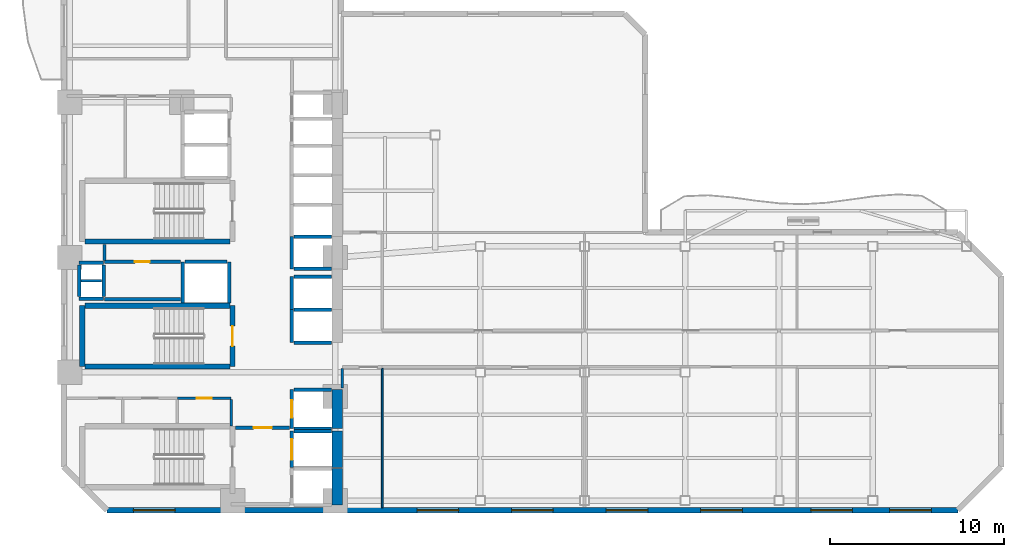
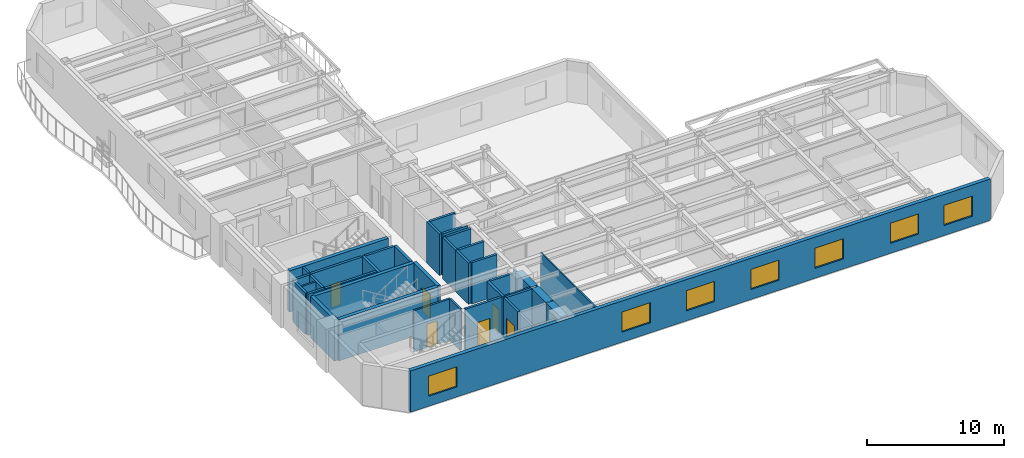
# One storey, part 3 of 10: 38 walls, 7 windows, 6 doors, 13 openings.
"""IFC4 building model written with IfcOpenShell, lengths in metres."""

from ifc_helpers import new_model, si_unit, direction, frame, frame_2d, origin, place, context, subcontext, project, spatial, rectangle, extrude, material, layer, layer_set, type_object, element, fill, save


model = new_model("IFC4")

# Units and contexts
model_context = context("Model", 3, precision=1e-05, world=origin(), true_north=direction((0.0, 1.0)))
body_context = subcontext(model_context, "Body", "Model", "MODEL_VIEW")
ifc_project = project(units=[si_unit("LENGTHUNIT", "METRE"), si_unit("AREAUNIT", "SQUARE_METRE"), si_unit("VOLUMEUNIT", "CUBIC_METRE"), si_unit("PLANEANGLEUNIT", "RADIAN"), si_unit("MASSUNIT", "GRAM", prefix="KILO")], contexts=[model_context])

# Site, building, storey
site_placement = place(None, origin())
site = spatial("IfcSite", under=ifc_project, at=site_placement, CompositionType="ELEMENT")
building_placement = place(site_placement, origin())
building = spatial("IfcBuilding", under=site, at=building_placement, Name="Mawjaban Terraces University", CompositionType="ELEMENT")
storey_placement = place(building_placement, frame((0.0, 0.0, 34.89990234375)))
storey = spatial("IfcBuildingStorey", under=building, at=storey_placement, Name="L07", CompositionType="ELEMENT", Elevation=34.89990234375)

# Walls
ifc_material_1 = material(Name="Concrete C70/85", Category="concrete")
ifc_layer_1 = layer(ifc_material_1, 0.60009765625)
ifc_layer_set_1 = layer_set([ifc_layer_1], Name="Concrete C70/85")
wall_type_1 = type_object("IfcWallType", Name="CoreShearWall_600", PredefinedType="SHEAR", material=ifc_layer_set_1)
wall_1_placement = place(storey_placement, frame((37.75, 0.300048828125, 0.0), z_axis=(0.0, 0.0, 1.0), x_axis=(0.0, 1.0, 0.0)))
element("IfcWall", 1, at=wall_1_placement, inside=storey, type_object=wall_type_1, Name="L07 Lift FL-1 Hoistway Wall East", PredefinedType="SHEAR", context=body_context, shape_type="SweptSolid", body=[
    extrude(rectangle(XDim=2.099853515625, YDim=0.60009765625, at=frame_2d((1.0498046875, 0.0))), origin(), (0.0, 0.0, 1.0), 3.690185546875),
])
wall_2_placement = place(storey_placement, frame((37.75, 2.449951171875, 0.0), z_axis=(0.0, 0.0, 1.0), x_axis=(0.0, 1.0, 0.0)))
element("IfcWall", 2, at=wall_2_placement, inside=storey, type_object=wall_type_1, Name="L07 Lift FL-2 Hoistway Wall East", PredefinedType="SHEAR", context=body_context, shape_type="SweptSolid", body=[
    extrude(rectangle(XDim=2.10009765625, YDim=0.60009765625, at=frame_2d((1.050048828125, 0.0))), origin(), (0.0, 0.0, 1.0), 3.690185546875),
])
wall_3_placement = place(storey_placement, frame((37.75, 4.699951171875, 0.0), z_axis=(0.0, 0.0, 1.0), x_axis=(0.0, 1.0, 0.0)))
element("IfcWall", 3, at=wall_3_placement, inside=storey, type_object=wall_type_1, Name="L07 Lift SL-1 Hoistway Wall East", PredefinedType="SHEAR", context=body_context, shape_type="SweptSolid", body=[
    extrude(rectangle(XDim=2.25, YDim=0.60009765625, at=frame_2d((1.125, 0.0))), origin(), (0.0, 0.0, 1.0), 3.690185546875),
])

# Wall, opening, door
ifc_material_2 = material(Name="Fire-rated gypsum board on steel stud", Category="steel")
ifc_layer_2 = layer(ifc_material_2, 0.159912109375)
ifc_layer_set_2 = layer_set([ifc_layer_2], Name="Fire-rated gypsum board on steel stud")
wall_type_2 = type_object("IfcWallType", Name="CorridorPartition_160", PredefinedType="PARTITIONING", material=ifc_layer_set_2)
wall_4_placement = place(storey_placement, frame((28.550048828125, 6.449951171875, 0.0), z_axis=(0.0, 0.0, 1.0), x_axis=(1.0, 0.0, 0.0)))
wall_4 = element("IfcWall", 4, at=wall_4_placement, inside=storey, type_object=wall_type_2, Name="L07 Core Washroom Lobby Partition 6", PredefinedType="PARTITIONING", context=body_context, shape_type="SweptSolid", body=[
    extrude(rectangle(XDim=3.099853515625, YDim=0.159912109375, at=frame_2d((1.5498046875, 0.0))), origin(), (0.0, 0.0, 1.0), 3.690185546875),
])
opening_1_placement = place(wall_4_placement, frame((1.110107421875, 0.0, 0.0)))
opening_1 = element("IfcOpeningElement", 5, at=opening_1_placement, cuts=wall_4, Name="Opening ID-088", PredefinedType="OPENING", context=body_context, shape_type="SweptSolid", body=[
    extrude(rectangle(XDim=0.8798828125, YDim=2.10009765625, at=frame_2d((0.43994140625, 1.050048828125))), frame((0.0, 0.08984375, 0.0), z_axis=(0.0, -1.0, 0.0), x_axis=(1.0, 0.0, 0.0)), (0.0, 0.0, 1.0), 0.179931640625),
])
ifc_material_3 = material(Name="Powder-coated steel frame and solid acoustic timber leaf", Category="steel")
door_type_1 = type_object("IfcDoorType", Name="ToiletDoor_880x2100", OperationType="NOTDEFINED", PredefinedType="DOOR", material=ifc_material_3)
door_1_placement = place(opening_1_placement, origin())
door_1 = element("IfcDoor", 6, at=door_1_placement, inside=storey, type_object=door_type_1, Name="L07 Accessible Toilet Door", OperationType="SINGLE_SWING_RIGHT", OverallHeight=2.10009765625, OverallWidth=0.8798828125, PredefinedType="DOOR", context=body_context, shape_type="SweptSolid", body=[
    extrude(rectangle(XDim=0.8798828125, YDim=2.10009765625, at=frame_2d((0.43994140625, 1.050048828125))), frame((0.0, 0.02490234375, 0.0), z_axis=(0.0, -1.0, 0.0), x_axis=(1.0, 0.0, 0.0)), (0.0, 0.0, 1.0), 0.050048828125),
])
fill(opening_1, door_1)

# Walls
wall_5_placement = place(storey_placement, frame((24.35009765625, 15.2900390625, 0.0), z_axis=(0.0, 0.0, 1.0), x_axis=(0.0, -1.0, 0.0)))
element("IfcWall", 7, at=wall_5_placement, inside=storey, type_object=wall_type_2, Name="L07 Core Riser Access Passage Partition 28", PredefinedType="PARTITIONING", context=body_context, shape_type="SweptSolid", body=[
    extrude(rectangle(XDim=0.89501953125, YDim=0.159912109375, at=frame_2d((0.447509765625, 0.0))), origin(), (0.0, 0.0, 1.0), 3.690185546875),
])
wall_6_placement = place(storey_placement, frame((31.64990234375, 4.860107421875, 0.0), z_axis=(0.0, 0.0, 1.0), x_axis=(0.0, 1.0, 0.0)))
element("IfcWall", 8, at=wall_6_placement, inside=storey, type_object=wall_type_2, Name="L07 Accessible Toilet Partition 39", PredefinedType="PARTITIONING", context=body_context, shape_type="SweptSolid", body=[
    extrude(rectangle(XDim=1.514892578125, YDim=0.159912109375, at=frame_2d((0.75732421875, 0.0))), origin(), (0.0, 0.0, 1.0), 3.690185546875),
])
wall_7_placement = place(storey_placement, frame((38.050048828125, 7.050048828125, 0.0), z_axis=(0.0, 0.0, 1.0), x_axis=(0.0, 1.0, 0.0)))
element("IfcWall", 9, at=wall_7_placement, inside=storey, type_object=wall_type_2, Name="L07 Core Stair and Lift Lobby East Partition 42", PredefinedType="PARTITIONING", context=body_context, shape_type="SweptSolid", body=[
    extrude(rectangle(XDim=1.125, YDim=0.159912109375, at=frame_2d((0.5625, 0.0))), origin(), (0.0, 0.0, 1.0), 3.05517578125),
])

# Wall, openings, windows
ifc_material_4 = material(Name="Insulated terracotta rainscreen on concrete backup C40/50", Category="masonry")
ifc_layer_3 = layer(ifc_material_4, 0.320068359375)
ifc_layer_set_3 = layer_set([ifc_layer_3], Name="Insulated terracotta rainscreen on concrete backup C40/50")
wall_type_3 = type_object("IfcWallType", Name="ExtTerracottaWall_320", PredefinedType="SOLIDWALL", material=ifc_layer_set_3)
wall_8_placement = place(storey_placement, frame((24.5, 0.0, 0.0), z_axis=(0.0, 0.0, 1.0), x_axis=(1.0, 0.0, 0.0)))
wall_8 = element("IfcWall", 10, at=wall_8_placement, inside=storey, type_object=wall_type_3, Name="L07 Exterior Terracotta Wall 1", PredefinedType="SOLIDWALL", context=body_context, shape_type="SweptSolid", body=[
    extrude(rectangle(XDim=49.0, YDim=0.320068359375, at=frame_2d((24.5, 0.0))), origin(), (0.0, 0.0, 1.0), 3.690185546875),
])
opening_2_placement = place(wall_8_placement, frame((1.52197265625, 0.0, 0.89990234375)))
opening_2 = element("IfcOpeningElement", 11, at=opening_2_placement, cuts=wall_8, Name="Opening W-08", PredefinedType="OPENING", context=body_context, shape_type="SweptSolid", body=[
    extrude(rectangle(XDim=2.39990234375, YDim=1.800048828125, at=frame_2d((1.199951171875, 0.89990234375))), frame((0.0, 0.169921875, 0.0), z_axis=(0.0, -1.0, 0.0), x_axis=(1.0, 0.0, 0.0)), (0.0, 0.0, 1.0), 0.340087890625),
])
opening_3_placement = place(wall_8_placement, frame((17.85595703125, 0.0, 0.89990234375)))
opening_3 = element("IfcOpeningElement", 12, at=opening_3_placement, cuts=wall_8, Name="Opening W-08", PredefinedType="OPENING", context=body_context, shape_type="SweptSolid", body=[
    extrude(rectangle(XDim=2.39990234375, YDim=1.800048828125, at=frame_2d((1.199951171875, 0.89990234375))), frame((0.0, 0.169921875, 0.0), z_axis=(0.0, -1.0, 0.0), x_axis=(1.0, 0.0, 0.0)), (0.0, 0.0, 1.0), 0.340087890625),
])
opening_4_placement = place(wall_8_placement, frame((23.300048828125, 0.0, 0.89990234375)))
opening_4 = element("IfcOpeningElement", 13, at=opening_4_placement, cuts=wall_8, Name="Opening W-08", PredefinedType="OPENING", context=body_context, shape_type="SweptSolid", body=[
    extrude(rectangle(XDim=2.39990234375, YDim=1.800048828125, at=frame_2d((1.199951171875, 0.89990234375))), frame((0.0, 0.169921875, 0.0), z_axis=(0.0, -1.0, 0.0), x_axis=(1.0, 0.0, 0.0)), (0.0, 0.0, 1.0), 0.340087890625),
])
opening_5_placement = place(wall_8_placement, frame((28.743896484375, 0.0, 0.89990234375)))
opening_5 = element("IfcOpeningElement", 14, at=opening_5_placement, cuts=wall_8, Name="Opening W-08", PredefinedType="OPENING", context=body_context, shape_type="SweptSolid", body=[
    extrude(rectangle(XDim=2.39990234375, YDim=1.800048828125, at=frame_2d((1.199951171875, 0.89990234375))), frame((0.0, 0.169921875, 0.0), z_axis=(0.0, -1.0, 0.0), x_axis=(1.0, 0.0, 0.0)), (0.0, 0.0, 1.0), 0.340087890625),
])
opening_6_placement = place(wall_8_placement, frame((34.18896484375, 0.0, 0.89990234375)))
opening_6 = element("IfcOpeningElement", 15, at=opening_6_placement, cuts=wall_8, Name="Opening W-08", PredefinedType="OPENING", context=body_context, shape_type="SweptSolid", body=[
    extrude(rectangle(XDim=2.39990234375, YDim=1.800048828125, at=frame_2d((1.199951171875, 0.89990234375))), frame((0.0, 0.169921875, 0.0), z_axis=(0.0, -1.0, 0.0), x_axis=(1.0, 0.0, 0.0)), (0.0, 0.0, 1.0), 0.340087890625),
])
opening_7_placement = place(wall_8_placement, frame((40.532958984375, 0.0, 0.89990234375)))
opening_7 = element("IfcOpeningElement", 16, at=opening_7_placement, cuts=wall_8, Name="Opening W-08", PredefinedType="OPENING", context=body_context, shape_type="SweptSolid", body=[
    extrude(rectangle(XDim=2.39990234375, YDim=1.800048828125, at=frame_2d((1.199951171875, 0.89990234375))), frame((0.0, 0.169921875, 0.0), z_axis=(0.0, -1.0, 0.0), x_axis=(1.0, 0.0, 0.0)), (0.0, 0.0, 1.0), 0.340087890625),
])
opening_8_placement = place(wall_8_placement, frame((45.077880859375, 0.0, 0.89990234375)))
opening_8 = element("IfcOpeningElement", 17, at=opening_8_placement, cuts=wall_8, Name="Opening W-08", PredefinedType="OPENING", context=body_context, shape_type="SweptSolid", body=[
    extrude(rectangle(XDim=2.39990234375, YDim=1.800048828125, at=frame_2d((1.199951171875, 0.89990234375))), frame((0.0, 0.169921875, 0.0), z_axis=(0.0, -1.0, 0.0), x_axis=(1.0, 0.0, 0.0)), (0.0, 0.0, 1.0), 0.340087890625),
])
ifc_material_5 = material(Name="Low-E solar-control double glazing in thermally broken aluminium frame", Category="aluminium")
window_type = type_object("IfcWindowType", Name="Win_2400x1800", PartitioningType="SINGLE_PANEL", PredefinedType="WINDOW", material=ifc_material_5)
window_1_placement = place(opening_2_placement, origin())
window_1 = element("IfcWindow", 18, at=window_1_placement, inside=storey, type_object=window_type, Name="L07 Facade Window 1.1", OverallHeight=1.800048828125, OverallWidth=2.39990234375, PartitioningType="SINGLE_PANEL", PredefinedType="WINDOW", context=body_context, shape_type="SweptSolid", body=[
    extrude(rectangle(XDim=2.39990234375, YDim=1.800048828125, at=frame_2d((1.199951171875, 0.89990234375))), frame((0.0, 0.030029296875, 0.0), z_axis=(0.0, -1.0, 0.0), x_axis=(1.0, 0.0, 0.0)), (0.0, 0.0, 1.0), 0.06005859375),
])
fill(opening_2, window_1)
window_2_placement = place(opening_3_placement, origin())
window_2 = element("IfcWindow", 19, at=window_2_placement, inside=storey, type_object=window_type, Name="L07 Facade Window 1.4", OverallHeight=1.800048828125, OverallWidth=2.39990234375, PartitioningType="SINGLE_PANEL", PredefinedType="WINDOW", context=body_context, shape_type="SweptSolid", body=[
    extrude(rectangle(XDim=2.39990234375, YDim=1.800048828125, at=frame_2d((1.199951171875, 0.89990234375))), frame((0.0, 0.030029296875, 0.0), z_axis=(0.0, -1.0, 0.0), x_axis=(1.0, 0.0, 0.0)), (0.0, 0.0, 1.0), 0.06005859375),
])
fill(opening_3, window_2)
window_3_placement = place(opening_4_placement, origin())
window_3 = element("IfcWindow", 20, at=window_3_placement, inside=storey, type_object=window_type, Name="L07 Facade Window 1.5", OverallHeight=1.800048828125, OverallWidth=2.39990234375, PartitioningType="SINGLE_PANEL", PredefinedType="WINDOW", context=body_context, shape_type="SweptSolid", body=[
    extrude(rectangle(XDim=2.39990234375, YDim=1.800048828125, at=frame_2d((1.199951171875, 0.89990234375))), frame((0.0, 0.030029296875, 0.0), z_axis=(0.0, -1.0, 0.0), x_axis=(1.0, 0.0, 0.0)), (0.0, 0.0, 1.0), 0.06005859375),
])
fill(opening_4, window_3)
window_4_placement = place(opening_5_placement, origin())
window_4 = element("IfcWindow", 21, at=window_4_placement, inside=storey, type_object=window_type, Name="L07 Facade Window 1.6", OverallHeight=1.800048828125, OverallWidth=2.39990234375, PartitioningType="SINGLE_PANEL", PredefinedType="WINDOW", context=body_context, shape_type="SweptSolid", body=[
    extrude(rectangle(XDim=2.39990234375, YDim=1.800048828125, at=frame_2d((1.199951171875, 0.89990234375))), frame((0.0, 0.030029296875, 0.0), z_axis=(0.0, -1.0, 0.0), x_axis=(1.0, 0.0, 0.0)), (0.0, 0.0, 1.0), 0.06005859375),
])
fill(opening_5, window_4)
window_5_placement = place(opening_6_placement, origin())
window_5 = element("IfcWindow", 22, at=window_5_placement, inside=storey, type_object=window_type, Name="L07 Facade Window 1.7", OverallHeight=1.800048828125, OverallWidth=2.39990234375, PartitioningType="SINGLE_PANEL", PredefinedType="WINDOW", context=body_context, shape_type="SweptSolid", body=[
    extrude(rectangle(XDim=2.39990234375, YDim=1.800048828125, at=frame_2d((1.199951171875, 0.89990234375))), frame((0.0, 0.030029296875, 0.0), z_axis=(0.0, -1.0, 0.0), x_axis=(1.0, 0.0, 0.0)), (0.0, 0.0, 1.0), 0.06005859375),
])
fill(opening_6, window_5)
window_6_placement = place(opening_7_placement, origin())
window_6 = element("IfcWindow", 23, at=window_6_placement, inside=storey, type_object=window_type, Name="L07 Facade Window 1.8", OverallHeight=1.800048828125, OverallWidth=2.39990234375, PartitioningType="SINGLE_PANEL", PredefinedType="WINDOW", context=body_context, shape_type="SweptSolid", body=[
    extrude(rectangle(XDim=2.39990234375, YDim=1.800048828125, at=frame_2d((1.199951171875, 0.89990234375))), frame((0.0, 0.030029296875, 0.0), z_axis=(0.0, -1.0, 0.0), x_axis=(1.0, 0.0, 0.0)), (0.0, 0.0, 1.0), 0.06005859375),
])
fill(opening_7, window_6)
window_7_placement = place(opening_8_placement, origin())
window_7 = element("IfcWindow", 24, at=window_7_placement, inside=storey, type_object=window_type, Name="L07 Facade Window 1.9", OverallHeight=1.800048828125, OverallWidth=2.39990234375, PartitioningType="SINGLE_PANEL", PredefinedType="WINDOW", context=body_context, shape_type="SweptSolid", body=[
    extrude(rectangle(XDim=2.39990234375, YDim=1.800048828125, at=frame_2d((1.199951171875, 0.89990234375))), frame((0.0, 0.030029296875, 0.0), z_axis=(0.0, -1.0, 0.0), x_axis=(1.0, 0.0, 0.0)), (0.0, 0.0, 1.0), 0.06005859375),
])
fill(opening_8, window_7)

# Wall, opening, door
ifc_material_6 = material(Name="Concrete C40/50", Category="concrete")
ifc_layer_4 = layer(ifc_material_6, 0.199951171875)
ifc_layer_set_4 = layer_set([ifc_layer_4], Name="Concrete C40/50")
wall_type_4 = type_object("IfcWallType", Name="FireLobbyWall_200", PredefinedType="SOLIDWALL", material=ifc_layer_set_4)
wall_9_placement = place(storey_placement, frame((35.14990234375, 4.550048828125, 0.0), z_axis=(0.0, 0.0, 1.0), x_axis=(0.0, -1.0, 0.0)))
wall_9 = element("IfcWall", 25, at=wall_9_placement, inside=storey, type_object=wall_type_4, Name="L07 Lift FL-2 Hoistway Wall West", PredefinedType="SOLIDWALL", context=body_context, shape_type="SweptSolid", body=[
    extrude(rectangle(XDim=2.10009765625, YDim=0.199951171875, at=frame_2d((1.050048828125, 0.0))), origin(), (0.0, 0.0, 1.0), 3.690185546875),
])
opening_9_placement = place(wall_9_placement, frame((0.449951171875, 0.0, 0.0)))
opening_9 = element("IfcOpeningElement", 26, at=opening_9_placement, cuts=wall_9, Name="Opening LD-FL-2", PredefinedType="OPENING", context=body_context, shape_type="SweptSolid", body=[
    extrude(rectangle(XDim=1.199951171875, YDim=2.14990234375, at=frame_2d((0.60009765625, 1.074951171875))), frame((0.0, 0.10986328125, 0.0), z_axis=(0.0, -1.0, 0.0), x_axis=(1.0, 0.0, 0.0)), (0.0, 0.0, 1.0), 0.219970703125),
])
ifc_material_7 = material(Name="Powder-coated steel frame and fire-rated steel-faced leaf", Category="steel")
door_type_2 = type_object("IfcDoorType", Name="LiftLandingFSAE_1200x2150", OperationType="NOTDEFINED", PredefinedType="DOOR", material=ifc_material_7)
door_2_placement = place(opening_9_placement, origin())
door_2 = element("IfcDoor", 27, at=door_2_placement, inside=storey, type_object=door_type_2, Name="L07 Lift FL-2 Sliding Landing Door", OperationType="DOUBLE_DOOR_SLIDING", OverallHeight=2.14990234375, OverallWidth=1.199951171875, PredefinedType="DOOR", context=body_context, shape_type="SweptSolid", body=[
    extrude(rectangle(XDim=1.199951171875, YDim=2.14990234375, at=frame_2d((0.60009765625, 1.074951171875))), frame((0.0, 0.02490234375, 0.0), z_axis=(0.0, -1.0, 0.0), x_axis=(1.0, 0.0, 0.0)), (0.0, 0.0, 1.0), 0.050048828125),
])
fill(opening_9, door_2)

# Wall
wall_10_placement = place(storey_placement, frame((37.419921875, 4.550048828125, 0.0), z_axis=(0.0, 0.0, 1.0), x_axis=(-1.0, 0.0, 0.0)))
element("IfcWall", 28, at=wall_10_placement, inside=storey, type_object=wall_type_4, Name="L07 Lift FL-2 Hoistway Wall North", PredefinedType="SOLIDWALL", context=body_context, shape_type="SweptSolid", body=[
    extrude(rectangle(XDim=2.139892578125, YDim=0.199951171875, at=frame_2d((1.06982421875, 0.0))), origin(), (0.0, 0.0, 1.0), 3.690185546875),
])

# Wall, opening, door
wall_11_placement = place(storey_placement, frame((35.14990234375, 6.949951171875, 0.0), z_axis=(0.0, 0.0, 1.0), x_axis=(0.0, -1.0, 0.0)))
wall_11 = element("IfcWall", 29, at=wall_11_placement, inside=storey, type_object=wall_type_4, Name="L07 Lift SL-1 Hoistway Wall West", PredefinedType="SOLIDWALL", context=body_context, shape_type="SweptSolid", body=[
    extrude(rectangle(XDim=2.25, YDim=0.199951171875, at=frame_2d((1.125, 0.0))), origin(), (0.0, 0.0, 1.0), 3.690185546875),
])
opening_10_placement = place(wall_11_placement, frame((0.625, 0.0, 0.0)))
opening_10 = element("IfcOpeningElement", 30, at=opening_10_placement, cuts=wall_11, Name="Opening LD-SL-1", PredefinedType="OPENING", context=body_context, shape_type="SweptSolid", body=[
    extrude(rectangle(XDim=1.0, YDim=2.10009765625, at=frame_2d((0.5, 1.050048828125))), frame((0.0, 0.10986328125, 0.0), z_axis=(0.0, -1.0, 0.0), x_axis=(1.0, 0.0, 0.0)), (0.0, 0.0, 1.0), 0.219970703125),
])
door_type_3 = type_object("IfcDoorType", Name="LiftLandingSliding_1000x2100", OperationType="NOTDEFINED", PredefinedType="DOOR", material=ifc_material_7)
door_3_placement = place(opening_10_placement, origin())
door_3 = element("IfcDoor", 31, at=door_3_placement, inside=storey, type_object=door_type_3, Name="L07 Lift SL-1 Sliding Landing Door", OperationType="DOUBLE_DOOR_SLIDING", OverallHeight=2.10009765625, OverallWidth=1.0, PredefinedType="DOOR", context=body_context, shape_type="SweptSolid", body=[
    extrude(rectangle(XDim=1.0, YDim=2.10009765625, at=frame_2d((0.5, 1.050048828125))), frame((0.0, 0.02490234375, 0.0), z_axis=(0.0, -1.0, 0.0), x_axis=(1.0, 0.0, 0.0)), (0.0, 0.0, 1.0), 0.050048828125),
])
fill(opening_10, door_3)

# Walls
for number, where, z_axis, x_axis, name in (
    (32, (35.280029296875, 4.699951171875, 0.0), (0.0, 0.0, 1.0), (1.0, 0.0, 0.0), "L07 Lift SL-1 Hoistway Wall South"),
    (33, (37.419921875, 6.949951171875, 0.0), (0.0, 0.0, 1.0), (-1.0, 0.0, 0.0), "L07 Lift SL-1 Hoistway Wall North"),
):
    element("IfcWall", number, at=place(storey_placement, frame(where, z_axis=z_axis, x_axis=x_axis)), inside=storey, type_object=wall_type_4, Name=name, PredefinedType="SOLIDWALL", context=body_context, shape_type="SweptSolid", body=[
        extrude(rectangle(XDim=2.139892578125, YDim=0.199951171875, at=frame_2d((1.06982421875, 0.0))), origin(), (0.0, 0.0, 1.0), 3.690185546875),
    ])
wall_12_placement = place(storey_placement, frame((35.14990234375, 11.550048828125, 0.0), z_axis=(0.0, 0.0, 1.0), x_axis=(0.0, -1.0, 0.0)))
element("IfcWall", 34, at=wall_12_placement, inside=storey, type_object=wall_type_4, Name="L07 Lift PL-H1 Hoistway Wall West", PredefinedType="SOLIDWALL", context=body_context, shape_type="SweptSolid", body=[
    extrude(rectangle(XDim=1.900146484375, YDim=0.199951171875, at=frame_2d((0.9501953125, 0.0))), origin(), (0.0, 0.0, 1.0), 3.690185546875),
])
for number, where, z_axis, x_axis, name in (
    (35, (35.280029296875, 9.64990234375, 0.0), (0.0, 0.0, 1.0), (1.0, 0.0, 0.0), "L07 Lift PL-H1 Hoistway Wall South"),
    (36, (37.419921875, 11.550048828125, 0.0), (0.0, 0.0, 1.0), (-1.0, 0.0, 0.0), "L07 Lift PL-H1 Hoistway Wall North"),
):
    element("IfcWall", number, at=place(storey_placement, frame(where, z_axis=z_axis, x_axis=x_axis)), inside=storey, type_object=wall_type_4, Name=name, PredefinedType="SOLIDWALL", context=body_context, shape_type="SweptSolid", body=[
        extrude(rectangle(XDim=2.139892578125, YDim=0.199951171875, at=frame_2d((1.06982421875, 0.0))), origin(), (0.0, 0.0, 1.0), 3.690185546875),
    ])
wall_13_placement = place(storey_placement, frame((35.14990234375, 13.449951171875, 0.0), z_axis=(0.0, 0.0, 1.0), x_axis=(0.0, -1.0, 0.0)))
element("IfcWall", 37, at=wall_13_placement, inside=storey, type_object=wall_type_4, Name="L07 Lift PL-H2 Hoistway Wall West", PredefinedType="SOLIDWALL", context=body_context, shape_type="SweptSolid", body=[
    extrude(rectangle(XDim=1.89990234375, YDim=0.199951171875, at=frame_2d((0.949951171875, 0.0))), origin(), (0.0, 0.0, 1.0), 3.690185546875),
])
wall_14_placement = place(storey_placement, frame((37.419921875, 13.449951171875, 0.0), z_axis=(0.0, 0.0, 1.0), x_axis=(-1.0, 0.0, 0.0)))
element("IfcWall", 38, at=wall_14_placement, inside=storey, type_object=wall_type_4, Name="L07 Lift PL-H2 Hoistway Wall North", PredefinedType="SOLIDWALL", context=body_context, shape_type="SweptSolid", body=[
    extrude(rectangle(XDim=2.139892578125, YDim=0.199951171875, at=frame_2d((1.06982421875, 0.0))), origin(), (0.0, 0.0, 1.0), 3.690185546875),
])
for number, where, z_axis, x_axis, name in (
    (39, (28.85009765625, 14.300048828125, 0.0), (0.0, 0.0, 1.0), (0.0, -1.0, 0.0), "L07 Lift PL-H3 Hoistway Wall West"),
    (40, (31.550048828125, 11.929931640625, 0.0), (0.0, 0.0, 1.0), (0.0, 1.0, 0.0), "L07 Lift PL-H3 Hoistway Wall East"),
):
    element("IfcWall", number, at=place(storey_placement, frame(where, z_axis=z_axis, x_axis=x_axis)), inside=storey, type_object=wall_type_4, Name=name, PredefinedType="SOLIDWALL", context=body_context, shape_type="SweptSolid", body=[
        extrude(rectangle(XDim=2.3701171875, YDim=0.199951171875, at=frame_2d((1.18505859375, 0.0))), origin(), (0.0, 0.0, 1.0), 3.690185546875),
    ])
wall_15_placement = place(storey_placement, frame((31.419921875, 14.300048828125, 0.0), z_axis=(0.0, 0.0, 1.0), x_axis=(-1.0, 0.0, 0.0)))
element("IfcWall", 41, at=wall_15_placement, inside=storey, type_object=wall_type_4, Name="L07 Lift PL-H3 Hoistway Wall North", PredefinedType="SOLIDWALL", context=body_context, shape_type="SweptSolid", body=[
    extrude(rectangle(XDim=2.43994140625, YDim=0.199951171875, at=frame_2d((1.219970703125, 0.0))), origin(), (0.0, 0.0, 1.0), 3.690185546875),
])
wall_16_placement = place(storey_placement, frame((35.14990234375, 15.75, 0.0), z_axis=(0.0, 0.0, 1.0), x_axis=(0.0, -1.0, 0.0)))
element("IfcWall", 42, at=wall_16_placement, inside=storey, type_object=wall_type_4, Name="L07 Lift OL-1 Hoistway Wall West", PredefinedType="SOLIDWALL", context=body_context, shape_type="SweptSolid", body=[
    extrude(rectangle(XDim=1.85009765625, YDim=0.199951171875, at=frame_2d((0.925048828125, 0.0))), origin(), (0.0, 0.0, 1.0), 3.690185546875),
])
for number, where, z_axis, x_axis, name in (
    (43, (35.280029296875, 13.89990234375, 0.0), (0.0, 0.0, 1.0), (1.0, 0.0, 0.0), "L07 Lift OL-1 Hoistway Wall South"),
    (44, (37.419921875, 15.75, 0.0), (0.0, 0.0, 1.0), (-1.0, 0.0, 0.0), "L07 Lift OL-1 Hoistway Wall North"),
):
    element("IfcWall", number, at=place(storey_placement, frame(where, z_axis=z_axis, x_axis=x_axis)), inside=storey, type_object=wall_type_4, Name=name, PredefinedType="SOLIDWALL", context=body_context, shape_type="SweptSolid", body=[
        extrude(rectangle(XDim=2.139892578125, YDim=0.199951171875, at=frame_2d((1.06982421875, 0.0))), origin(), (0.0, 0.0, 1.0), 3.690185546875),
    ])
for number, where, z_axis, x_axis, name in (
    (45, (22.89990234375, 14.25, 0.0), (0.0, 0.0, 1.0), (1.0, 0.0, 0.0), "L07 MEP Riser Shaft Wall N"),
    (46, (22.89990234375, 12.179931640625, 0.0), (0.0, 0.0, 1.0), (1.0, 0.0, 0.0), "L07 MEP Riser Shaft Wall S"),
):
    element("IfcWall", number, at=place(storey_placement, frame(where, z_axis=z_axis, x_axis=x_axis)), inside=storey, type_object=wall_type_4, Name=name, PredefinedType="SOLIDWALL", context=body_context, shape_type="SweptSolid", body=[
        extrude(rectangle(XDim=1.400146484375, YDim=0.199951171875, at=frame_2d((0.7001953125, 0.0))), origin(), (0.0, 0.0, 1.0), 3.690185546875),
    ])
for number, where, z_axis, x_axis, name in (
    (47, (24.300048828125, 12.300048828125, 0.0), (0.0, 0.0, 1.0), (0.0, 1.0, 0.0), "L07 MEP Riser Shaft Wall E"),
    (48, (22.89990234375, 12.300048828125, 0.0), (0.0, 0.0, 1.0), (0.0, 1.0, 0.0), "L07 MEP Riser Shaft Wall W"),
):
    element("IfcWall", number, at=place(storey_placement, frame(where, z_axis=z_axis, x_axis=x_axis)), inside=storey, type_object=wall_type_4, Name=name, PredefinedType="SOLIDWALL", context=body_context, shape_type="SweptSolid", body=[
        extrude(rectangle(XDim=1.829833984375, YDim=0.199951171875, at=frame_2d((0.9150390625, 0.0))), origin(), (0.0, 0.0, 1.0), 3.690185546875),
    ])
wall_17_placement = place(storey_placement, frame((24.35009765625, 12.14990234375, 0.0), z_axis=(0.0, 0.0, 1.0), x_axis=(1.0, 0.0, 0.0)))
element("IfcWall", 49, at=wall_17_placement, inside=storey, type_object=wall_type_4, Name="L07 IT and Telecoms Riser Room Partition 2", PredefinedType="SOLIDWALL", context=body_context, shape_type="SweptSolid", body=[
    extrude(rectangle(XDim=4.369873046875, YDim=0.199951171875, at=frame_2d((2.18505859375, 0.0))), origin(), (0.0, 0.0, 1.0), 3.690185546875),
])

# Wall, opening, door
wall_18_placement = place(storey_placement, frame((24.35009765625, 14.300048828125, 0.0), z_axis=(0.0, 0.0, 1.0), x_axis=(1.0, 0.0, 0.0)))
wall_18 = element("IfcWall", 50, at=wall_18_placement, inside=storey, type_object=wall_type_4, Name="L07 Core Riser Access Passage Partition 3", PredefinedType="SOLIDWALL", context=body_context, shape_type="SweptSolid", body=[
    extrude(rectangle(XDim=4.369873046875, YDim=0.199951171875, at=frame_2d((2.18505859375, 0.0))), origin(), (0.0, 0.0, 1.0), 3.690185546875),
])
opening_11_placement = place(wall_18_placement, frame((1.760009765625, 0.0, 0.0)))
opening_11 = element("IfcOpeningElement", 51, at=opening_11_placement, cuts=wall_18, Name="Opening FD-085", PredefinedType="OPENING", context=body_context, shape_type="SweptSolid", body=[
    extrude(rectangle(XDim=0.85009765625, YDim=2.10009765625, at=frame_2d((0.425048828125, 1.050048828125))), frame((0.0, 0.10986328125, 0.0), z_axis=(0.0, -1.0, 0.0), x_axis=(1.0, 0.0, 0.0)), (0.0, 0.0, 1.0), 0.219970703125),
])
door_type_4 = type_object("IfcDoorType", Name="FireRiserDoor_850x2100", OperationType="NOTDEFINED", PredefinedType="DOOR", material=ifc_material_7)
door_4_placement = place(opening_11_placement, origin())
door_4 = element("IfcDoor", 52, at=door_4_placement, inside=storey, type_object=door_type_4, Name="L07 IT and Telecoms Riser Room Door", OperationType="SINGLE_SWING_LEFT", OverallHeight=2.10009765625, OverallWidth=0.85009765625, PredefinedType="DOOR", context=body_context, shape_type="SweptSolid", body=[
    extrude(rectangle(XDim=0.85009765625, YDim=2.10009765625, at=frame_2d((0.425048828125, 1.050048828125))), frame((0.0, 0.02490234375, 0.0), z_axis=(0.0, -1.0, 0.0), x_axis=(1.0, 0.0, 0.0)), (0.0, 0.0, 1.0), 0.050048828125),
])
fill(opening_11, door_4)

wall_19_placement = place(storey_placement, frame((35.02001953125, 4.75, 0.0), z_axis=(0.0, 0.0, 1.0), x_axis=(-1.0, 0.0, 0.0)))
wall_19 = element("IfcWall", 53, at=wall_19_placement, inside=storey, type_object=wall_type_4, Name="L07 Firefighting Lift Lobby Partition 13", PredefinedType="SOLIDWALL", context=body_context, shape_type="SweptSolid", body=[
    extrude(rectangle(XDim=3.110107421875, YDim=0.199951171875, at=frame_2d((1.55517578125, 0.0))), origin(), (0.0, 0.0, 1.0), 3.690185546875),
])
opening_12_placement = place(wall_19_placement, frame((1.030029296875, 0.0, 0.0)))
opening_12 = element("IfcOpeningElement", 54, at=opening_12_placement, cuts=wall_19, Name="Opening FD-105", PredefinedType="OPENING", context=body_context, shape_type="SweptSolid", body=[
    extrude(rectangle(XDim=1.050048828125, YDim=2.14990234375, at=frame_2d((0.52490234375, 1.074951171875))), frame((0.0, 0.10986328125, 0.0), z_axis=(0.0, -1.0, 0.0), x_axis=(1.0, 0.0, 0.0)), (0.0, 0.0, 1.0), 0.219970703125),
])
door_type_5 = type_object("IfcDoorType", Name="FireLobbyDoor_1050x2150", OperationType="NOTDEFINED", PredefinedType="DOOR", material=ifc_material_7)
door_5_placement = place(opening_12_placement, origin())
door_5 = element("IfcDoor", 55, at=door_5_placement, inside=storey, type_object=door_type_5, Name="L07 Firefighting Lift Lobby Door", OperationType="SINGLE_SWING_LEFT", OverallHeight=2.14990234375, OverallWidth=1.050048828125, PredefinedType="DOOR", context=body_context, shape_type="SweptSolid", body=[
    extrude(rectangle(XDim=1.050048828125, YDim=2.14990234375, at=frame_2d((0.52490234375, 1.074951171875))), frame((0.0, 0.02490234375, 0.0), z_axis=(0.0, -1.0, 0.0), x_axis=(1.0, 0.0, 0.0)), (0.0, 0.0, 1.0), 0.050048828125),
])
fill(opening_12, door_5)

# Walls
ifc_material_8 = material(Name="Moisture-resistant gypsum board on steel stud", Category="steel")
ifc_layer_5 = layer(ifc_material_8, 0.14501953125)
ifc_layer_set_5 = layer_set([ifc_layer_5], Name="Moisture-resistant gypsum board on steel stud")
wall_type_5 = type_object("IfcWallType", Name="LabPartition_145", PredefinedType="PARTITIONING", material=ifc_layer_set_5)
wall_20_placement = place(storey_placement, frame((23.010009765625, 13.22509765625, 0.0), z_axis=(0.0, 0.0, 1.0), x_axis=(1.0, 0.0, 0.0)))
element("IfcWall", 56, at=wall_20_placement, inside=storey, type_object=wall_type_5, Name="L07 MEP Riser Shaft Wall M", PredefinedType="PARTITIONING", context=body_context, shape_type="SweptSolid", body=[
    extrude(rectangle(XDim=1.179931640625, YDim=0.14501953125, at=frame_2d((0.58984375, 0.0))), origin(), (0.0, 0.0, 1.0), 3.690185546875),
])
ifc_material_9 = material(Name="Acoustic operable panel partition", Category="masonry")
ifc_layer_6 = layer(ifc_material_9, 0.110107421875)
ifc_layer_set_6 = layer_set([ifc_layer_6], Name="Acoustic operable panel partition")
wall_type_6 = type_object("IfcWallType", Name="OperableSeminarWall_110", PredefinedType="MOVABLE", material=ifc_layer_set_6)
wall_21_placement = place(storey_placement, frame((40.35009765625, 0.155029296875, 0.0), z_axis=(0.0, 0.0, 1.0), x_axis=(0.0, 1.0, 0.0)))
element("IfcWall", 57, at=wall_21_placement, inside=storey, type_object=wall_type_6, Name="L07 Classroom 1 Partition 44", PredefinedType="MOVABLE", context=body_context, shape_type="SweptSolid", body=[
    extrude(rectangle(XDim=8.02001953125, YDim=0.110107421875, at=frame_2d((4.010009765625, 0.0))), origin(), (0.0, 0.0, 1.0), 3.690185546875),
])
ifc_material_10 = material(Name="Concrete C60/75", Category="concrete")
ifc_layer_7 = layer(ifc_material_10, 0.300048828125)
ifc_layer_set_7 = layer_set([ifc_layer_7], Name="Concrete C60/75")
wall_type_7 = type_object("IfcWallType", Name="StairShaftWall_300", PredefinedType="SHEAR", material=ifc_layer_set_7)
for number, where, z_axis, x_axis, name in (
    (58, (23.219970703125, 15.469970703125, 0.0), (0.0, 0.0, 1.0), (1.0, 0.0, 0.0), "L07 ST-2 Stair Shaft Wall 3"),
    (59, (31.580078125, 11.780029296875, 0.0), (0.0, 0.0, 1.0), (-1.0, 0.0, 0.0), "L07 ST-3 Stair Shaft Wall 1"),
):
    element("IfcWall", number, at=place(storey_placement, frame(where, z_axis=z_axis, x_axis=x_axis)), inside=storey, type_object=wall_type_7, Name=name, PredefinedType="SHEAR", context=body_context, shape_type="SweptSolid", body=[
        extrude(rectangle(XDim=8.360107421875, YDim=0.300048828125, at=frame_2d((4.18017578125, 0.0))), origin(), (0.0, 0.0, 1.0), 3.690185546875),
    ])
wall_22_placement = place(storey_placement, frame((23.070068359375, 11.780029296875, 0.0), z_axis=(0.0, 0.0, 1.0), x_axis=(0.0, -1.0, 0.0)))
element("IfcWall", 60, at=wall_22_placement, inside=storey, type_object=wall_type_7, Name="L07 ST-3 Stair Shaft Wall 2", PredefinedType="SHEAR", context=body_context, shape_type="SweptSolid", body=[
    extrude(rectangle(XDim=3.510009765625, YDim=0.300048828125, at=frame_2d((1.7548828125, 0.0))), origin(), (0.0, 0.0, 1.0), 3.690185546875),
])
wall_23_placement = place(storey_placement, frame((23.219970703125, 8.27001953125, 0.0), z_axis=(0.0, 0.0, 1.0), x_axis=(1.0, 0.0, 0.0)))
element("IfcWall", 61, at=wall_23_placement, inside=storey, type_object=wall_type_7, Name="L07 ST-3 Stair Shaft Wall 3", PredefinedType="SHEAR", context=body_context, shape_type="SweptSolid", body=[
    extrude(rectangle(XDim=8.360107421875, YDim=0.300048828125, at=frame_2d((4.18017578125, 0.0))), origin(), (0.0, 0.0, 1.0), 3.690185546875),
])

# Wall, opening, door
wall_24_placement = place(storey_placement, frame((31.72998046875, 8.27001953125, 0.0), z_axis=(0.0, 0.0, 1.0), x_axis=(0.0, 1.0, 0.0)))
wall_24 = element("IfcWall", 62, at=wall_24_placement, inside=storey, type_object=wall_type_7, Name="L07 ST-3 Stair Shaft Wall 4", PredefinedType="SHEAR", context=body_context, shape_type="SweptSolid", body=[
    extrude(rectangle(XDim=3.510009765625, YDim=0.300048828125, at=frame_2d((1.7548828125, 0.0))), origin(), (0.0, 0.0, 1.0), 3.690185546875),
])
opening_13_placement = place(wall_24_placement, frame((1.179931640625, 0.0, 0.0)))
opening_13 = element("IfcOpeningElement", 63, at=opening_13_placement, cuts=wall_24, Name="Opening FD-115", PredefinedType="OPENING", context=body_context, shape_type="SweptSolid", body=[
    extrude(rectangle(XDim=1.14990234375, YDim=2.14990234375, at=frame_2d((0.574951171875, 1.074951171875))), frame((0.0, 0.159912109375, 0.0), z_axis=(0.0, -1.0, 0.0), x_axis=(1.0, 0.0, 0.0)), (0.0, 0.0, 1.0), 0.320068359375),
])
door_type_6 = type_object("IfcDoorType", Name="FireStairDoor_1150x2150", OperationType="NOTDEFINED", PredefinedType="DOOR", material=ifc_material_7)
door_6_placement = place(opening_13_placement, origin())
door_6 = element("IfcDoor", 64, at=door_6_placement, inside=storey, type_object=door_type_6, Name="L07 ST-3 Pressurised Stair Fire Door", OperationType="SINGLE_SWING_RIGHT", OverallHeight=2.14990234375, OverallWidth=1.14990234375, PredefinedType="DOOR", context=body_context, shape_type="SweptSolid", body=[
    extrude(rectangle(XDim=1.14990234375, YDim=2.14990234375, at=frame_2d((0.574951171875, 1.074951171875))), frame((0.0, 0.02490234375, 0.0), z_axis=(0.0, -1.0, 0.0), x_axis=(1.0, 0.0, 0.0)), (0.0, 0.0, 1.0), 0.050048828125),
])
fill(opening_13, door_6)

save(model, "model.ifc")
